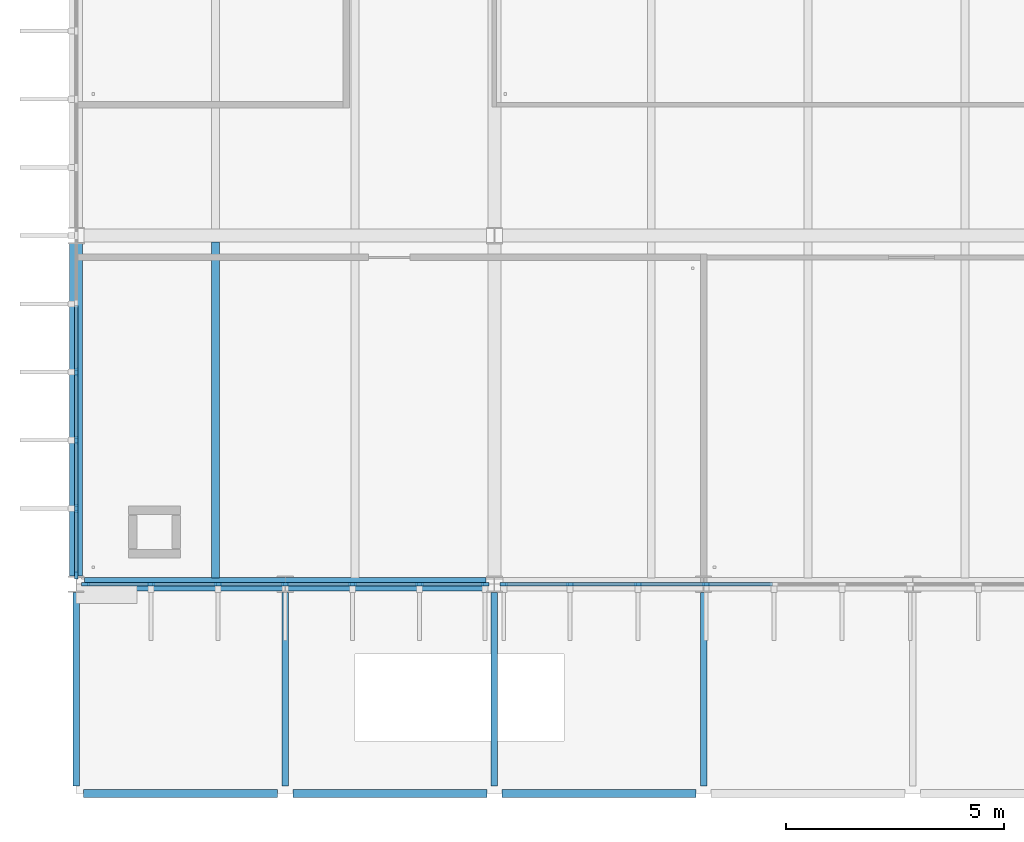
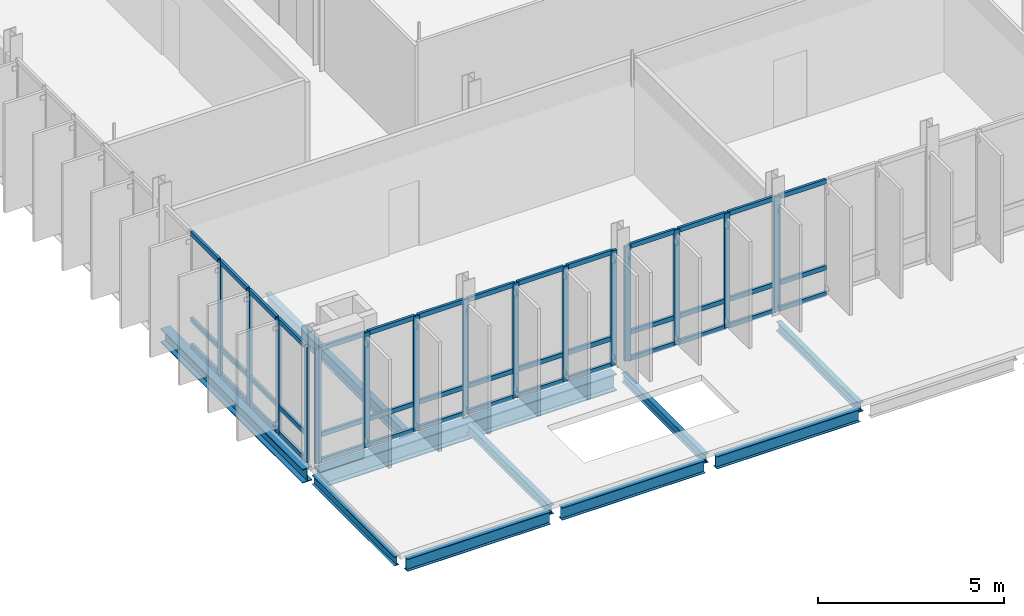
# One storey, part 16 of 107: 57 members, 10 beams, 3 elements without a shape of their own.
"""IFC4 building model written with IfcOpenShell, lengths in metres."""

from ifc_helpers import new_model, si_unit, direction, frame, origin, origin_2d, place, context, subcontext, project, spatial, rectangle, i_section, extrude, material, material_profile, profile_set, type_object, element, aggregate, save


model = new_model("IFC4")

# Units and contexts
model_context = context("Model", 3, precision=1e-05, world=origin(), true_north=direction((0.0, 1.0)))
body_context = subcontext(model_context, "Body", "Model", "MODEL_VIEW")
ifc_project = project(units=[si_unit("LENGTHUNIT", "METRE"), si_unit("AREAUNIT", "SQUARE_METRE"), si_unit("VOLUMEUNIT", "CUBIC_METRE"), si_unit("PLANEANGLEUNIT", "RADIAN"), si_unit("MASSUNIT", "GRAM", prefix="KILO")], contexts=[model_context])

# Site, building, storey
site_placement = place(None, origin())
site = spatial("IfcSite", under=ifc_project, at=site_placement, CompositionType="ELEMENT")
building_placement = place(site_placement, origin())
building = spatial("IfcBuilding", under=site, at=building_placement, Name="Dunescarp Central Library", CompositionType="ELEMENT")
storey_placement = place(building_placement, frame((0.0, 0.0, 5.10009765625)))
storey = spatial("IfcBuildingStorey", under=building, at=storey_placement, Name="L01", CompositionType="ELEMENT", Elevation=5.10009765625)

# Curtain wall, members
ifc_material_1 = material(Name="Marine-grade anodised aluminium 6063-T6", Category="aluminium")
curtain_wall_type = type_object("IfcCurtainWallType", Name="ARC-CW-STICK", PredefinedType="NOTDEFINED", material=ifc_material_1)
curtain_wall_1_placement = place(storey_placement, origin())
curtain_wall_1 = element("IfcCurtainWall", 1, at=curtain_wall_1_placement, inside=storey, type_object=curtain_wall_type, Name="L01 curtain wall CW-V1-006", PredefinedType="NOTDEFINED")
ifc_material_profile_1 = material_profile(ifc_material_1, rectangle(XDim=0.080078125, YDim=0.179931640625, at=origin_2d()), Name="AL 80x180")
ifc_profile_set_1 = profile_set([ifc_material_profile_1], Name="Marine-grade anodised aluminium 6063-T6")
member_type_1 = type_object("IfcMemberType", Name="ARC-CWM-180", PredefinedType="MULLION", material=ifc_profile_set_1)
member_1_placement = place(storey_placement, frame((9.385009765625, 4.800048828125, 0.0), z_axis=(0.0, 0.0, 1.0), x_axis=(0.0, -1.0, 0.0)))
member_1 = element("IfcMember", 2, at=member_1_placement, type_object=member_type_1, Name="CW-V1-006 mullion 1", PredefinedType="MULLION", context=body_context, shape_type="SweptSolid", body=[
    extrude(rectangle(XDim=0.080078125, YDim=0.179931640625, at=origin_2d()), origin(), (0.0, 0.0, 1.0), 3.764892578125),
])
member_2_placement = place(storey_placement, frame((7.88330078125, 4.800048828125, 0.0), z_axis=(0.0, 0.0, 1.0), x_axis=(0.0, -1.0, 0.0)))
member_2 = element("IfcMember", 3, at=member_2_placement, type_object=member_type_1, Name="CW-V1-006 mullion 2", PredefinedType="MULLION", context=body_context, shape_type="SweptSolid", body=[
    extrude(rectangle(XDim=0.080078125, YDim=0.179931640625, at=origin_2d()), origin(), (0.0, 0.0, 1.0), 3.764892578125),
])
member_3_placement = place(storey_placement, frame((6.341552734375, 4.800048828125, 0.0), z_axis=(0.0, 0.0, 1.0), x_axis=(0.0, -1.0, 0.0)))
member_3 = element("IfcMember", 4, at=member_3_placement, type_object=member_type_1, Name="CW-V1-006 mullion 3", PredefinedType="MULLION", context=body_context, shape_type="SweptSolid", body=[
    extrude(rectangle(XDim=0.080078125, YDim=0.179931640625, at=origin_2d()), origin(), (0.0, 0.0, 1.0), 3.764892578125),
])
member_4_placement = place(storey_placement, frame((4.800048828125, 4.800048828125, 0.0), z_axis=(0.0, 0.0, 1.0), x_axis=(0.0, -1.0, 0.0)))
member_4 = element("IfcMember", 5, at=member_4_placement, type_object=member_type_1, Name="CW-V1-006 mullion 4", PredefinedType="MULLION", context=body_context, shape_type="SweptSolid", body=[
    extrude(rectangle(XDim=0.080078125, YDim=0.179931640625, at=origin_2d()), origin(), (0.0, 0.0, 1.0), 3.764892578125),
])
member_5_placement = place(storey_placement, frame((3.25830078125, 4.800048828125, 0.0), z_axis=(0.0, 0.0, 1.0), x_axis=(0.0, -1.0, 0.0)))
member_5 = element("IfcMember", 6, at=member_5_placement, type_object=member_type_1, Name="CW-V1-006 mullion 5", PredefinedType="MULLION", context=body_context, shape_type="SweptSolid", body=[
    extrude(rectangle(XDim=0.080078125, YDim=0.179931640625, at=origin_2d()), origin(), (0.0, 0.0, 1.0), 3.764892578125),
])
member_6_placement = place(storey_placement, frame((1.716552734375, 4.800048828125, 0.0), z_axis=(0.0, 0.0, 1.0), x_axis=(0.0, -1.0, 0.0)))
member_6 = element("IfcMember", 7, at=member_6_placement, type_object=member_type_1, Name="CW-V1-006 mullion 6", PredefinedType="MULLION", context=body_context, shape_type="SweptSolid", body=[
    extrude(rectangle(XDim=0.080078125, YDim=0.179931640625, at=origin_2d()), origin(), (0.0, 0.0, 1.0), 3.764892578125),
])
member_7_placement = place(storey_placement, frame((0.215087890625, 4.800048828125, 0.0), z_axis=(0.0, 0.0, 1.0), x_axis=(0.0, -1.0, 0.0)))
member_7 = element("IfcMember", 8, at=member_7_placement, type_object=member_type_1, Name="CW-V1-006 mullion 7", PredefinedType="MULLION", context=body_context, shape_type="SweptSolid", body=[
    extrude(rectangle(XDim=0.080078125, YDim=0.179931640625, at=origin_2d()), origin(), (0.0, 0.0, 1.0), 3.764892578125),
])

curtain_wall_2_placement = place(storey_placement, origin())
curtain_wall_2 = element("IfcCurtainWall", 9, at=curtain_wall_2_placement, inside=storey, type_object=curtain_wall_type, Name="L01 curtain wall CW-V1-007", PredefinedType="NOTDEFINED")
member_8_placement = place(storey_placement, frame((14.458251953125, 4.800048828125, 0.0), z_axis=(0.0, 0.0, 1.0), x_axis=(0.0, -1.0, 0.0)))
member_8 = element("IfcMember", 10, at=member_8_placement, type_object=member_type_1, Name="CW-V1-007 mullion 7", PredefinedType="MULLION", context=body_context, shape_type="SweptSolid", body=[
    extrude(rectangle(XDim=0.080078125, YDim=0.179931640625, at=origin_2d()), origin(), (0.0, 0.0, 1.0), 3.764892578125),
])
member_9_placement = place(storey_placement, frame((12.897216796875, 4.800048828125, 0.0), z_axis=(0.0, 0.0, 1.0), x_axis=(0.0, -1.0, 0.0)))
member_9 = element("IfcMember", 11, at=member_9_placement, type_object=member_type_1, Name="CW-V1-007 mullion 8", PredefinedType="MULLION", context=body_context, shape_type="SweptSolid", body=[
    extrude(rectangle(XDim=0.080078125, YDim=0.179931640625, at=origin_2d()), origin(), (0.0, 0.0, 1.0), 3.764892578125),
])
member_10_placement = place(storey_placement, frame((11.336181640625, 4.800048828125, 0.0), z_axis=(0.0, 0.0, 1.0), x_axis=(0.0, -1.0, 0.0)))
member_10 = element("IfcMember", 12, at=member_10_placement, type_object=member_type_1, Name="CW-V1-007 mullion 9", PredefinedType="MULLION", context=body_context, shape_type="SweptSolid", body=[
    extrude(rectangle(XDim=0.080078125, YDim=0.179931640625, at=origin_2d()), origin(), (0.0, 0.0, 1.0), 3.764892578125),
])
member_11_placement = place(storey_placement, frame((9.81494140625, 4.800048828125, 0.0), z_axis=(0.0, 0.0, 1.0), x_axis=(0.0, -1.0, 0.0)))
member_11 = element("IfcMember", 13, at=member_11_placement, type_object=member_type_1, Name="CW-V1-007 mullion 10", PredefinedType="MULLION", context=body_context, shape_type="SweptSolid", body=[
    extrude(rectangle(XDim=0.080078125, YDim=0.179931640625, at=origin_2d()), origin(), (0.0, 0.0, 1.0), 3.764892578125),
])

curtain_wall_3_placement = place(storey_placement, origin())
curtain_wall_3 = element("IfcCurtainWall", 14, at=curtain_wall_3_placement, inside=storey, type_object=curtain_wall_type, Name="L01 curtain wall CW-V1-009", PredefinedType="NOTDEFINED")
member_12_placement = place(storey_placement, frame((0.0, 5.014892578125, 0.0), z_axis=(0.0, 0.0, 1.0), x_axis=(-1.0, 0.0, 0.0)))
member_12 = element("IfcMember", 15, at=member_12_placement, type_object=member_type_1, Name="CW-V1-009 mullion 1", PredefinedType="MULLION", context=body_context, shape_type="SweptSolid", body=[
    extrude(rectangle(XDim=0.080078125, YDim=0.179931640625, at=origin_2d()), origin(), (0.0, 0.0, 1.0), 3.764892578125),
])
member_13_placement = place(storey_placement, frame((0.0, 6.5400390625, 0.0), z_axis=(0.0, 0.0, 1.0), x_axis=(-1.0, 0.0, 0.0)))
member_13 = element("IfcMember", 16, at=member_13_placement, type_object=member_type_1, Name="CW-V1-009 mullion 2", PredefinedType="MULLION", context=body_context, shape_type="SweptSolid", body=[
    extrude(rectangle(XDim=0.080078125, YDim=0.179931640625, at=origin_2d()), origin(), (0.0, 0.0, 1.0), 3.764892578125),
])
member_14_placement = place(storey_placement, frame((0.0, 8.10498046875, 0.0), z_axis=(0.0, 0.0, 1.0), x_axis=(-1.0, 0.0, 0.0)))
member_14 = element("IfcMember", 17, at=member_14_placement, type_object=member_type_1, Name="CW-V1-009 mullion 3", PredefinedType="MULLION", context=body_context, shape_type="SweptSolid", body=[
    extrude(rectangle(XDim=0.080078125, YDim=0.179931640625, at=origin_2d()), origin(), (0.0, 0.0, 1.0), 3.764892578125),
])
member_15_placement = place(storey_placement, frame((0.0, 9.669921875, 0.0), z_axis=(0.0, 0.0, 1.0), x_axis=(-1.0, 0.0, 0.0)))
member_15 = element("IfcMember", 18, at=member_15_placement, type_object=member_type_1, Name="CW-V1-009 mullion 4", PredefinedType="MULLION", context=body_context, shape_type="SweptSolid", body=[
    extrude(rectangle(XDim=0.080078125, YDim=0.179931640625, at=origin_2d()), origin(), (0.0, 0.0, 1.0), 3.764892578125),
])

# Member
ifc_material_profile_2 = material_profile(ifc_material_1, rectangle(XDim=0.080078125, YDim=0.14990234375, at=origin_2d()), Name="AL 80x150")
ifc_profile_set_2 = profile_set([ifc_material_profile_2], Name="Marine-grade anodised aluminium 6063-T6")
member_type_2 = type_object("IfcMemberType", Name="ARC-CWT-150", PredefinedType="USERDEFINED", material=ifc_profile_set_2)
member_16_placement = place(storey_placement, frame((9.344970703125, 4.800048828125, 0.039794921875), z_axis=(-1.0, 0.0, 0.0), x_axis=(0.0, -1.0, 0.0)))
member_16 = element("IfcMember", 19, at=member_16_placement, type_object=member_type_2, Name="CW-V1-006 transom 1.1", ObjectType="TRANSOM", PredefinedType="USERDEFINED", context=body_context, shape_type="SweptSolid", body=[
    extrude(rectangle(XDim=0.080078125, YDim=0.14990234375, at=origin_2d()), origin(), (0.0, 0.0, 1.0), 1.421630859375),
])

member_17_placement = place(storey_placement, frame((9.344970703125, 4.800048828125, 0.89990234375), z_axis=(-1.0, 0.0, 0.0), x_axis=(0.0, -1.0, 0.0)))
member_17 = element("IfcMember", 20, at=member_17_placement, type_object=member_type_2, Name="CW-V1-006 transom 1.2", ObjectType="TRANSOM", PredefinedType="USERDEFINED", context=body_context, shape_type="SweptSolid", body=[
    extrude(rectangle(XDim=0.080078125, YDim=0.14990234375, at=origin_2d()), origin(), (0.0, 0.0, 1.0), 1.421630859375),
])

member_18_placement = place(storey_placement, frame((9.344970703125, 4.800048828125, 3.724853515625), z_axis=(-1.0, 0.0, 0.0), x_axis=(0.0, -1.0, 0.0)))
member_18 = element("IfcMember", 21, at=member_18_placement, type_object=member_type_2, Name="CW-V1-006 transom 1.3", ObjectType="TRANSOM", PredefinedType="USERDEFINED", context=body_context, shape_type="SweptSolid", body=[
    extrude(rectangle(XDim=0.080078125, YDim=0.14990234375, at=origin_2d()), origin(), (0.0, 0.0, 1.0), 1.421630859375),
])

member_19_placement = place(storey_placement, frame((7.84326171875, 4.800048828125, 0.039794921875), z_axis=(-1.0, 0.0, 0.0), x_axis=(0.0, -1.0, 0.0)))
member_19 = element("IfcMember", 22, at=member_19_placement, type_object=member_type_2, Name="CW-V1-006 transom 2.1", ObjectType="TRANSOM", PredefinedType="USERDEFINED", context=body_context, shape_type="SweptSolid", body=[
    extrude(rectangle(XDim=0.080078125, YDim=0.14990234375, at=origin_2d()), origin(), (0.0, 0.0, 1.0), 1.461669921875),
])

member_20_placement = place(storey_placement, frame((7.84326171875, 4.800048828125, 0.89990234375), z_axis=(-1.0, 0.0, 0.0), x_axis=(0.0, -1.0, 0.0)))
member_20 = element("IfcMember", 23, at=member_20_placement, type_object=member_type_2, Name="CW-V1-006 transom 2.2", ObjectType="TRANSOM", PredefinedType="USERDEFINED", context=body_context, shape_type="SweptSolid", body=[
    extrude(rectangle(XDim=0.080078125, YDim=0.14990234375, at=origin_2d()), origin(), (0.0, 0.0, 1.0), 1.461669921875),
])

member_21_placement = place(storey_placement, frame((7.84326171875, 4.800048828125, 3.724853515625), z_axis=(-1.0, 0.0, 0.0), x_axis=(0.0, -1.0, 0.0)))
member_21 = element("IfcMember", 24, at=member_21_placement, type_object=member_type_2, Name="CW-V1-006 transom 2.3", ObjectType="TRANSOM", PredefinedType="USERDEFINED", context=body_context, shape_type="SweptSolid", body=[
    extrude(rectangle(XDim=0.080078125, YDim=0.14990234375, at=origin_2d()), origin(), (0.0, 0.0, 1.0), 1.461669921875),
])

member_22_placement = place(storey_placement, frame((6.3017578125, 4.800048828125, 0.039794921875), z_axis=(-1.0, 0.0, 0.0), x_axis=(0.0, -1.0, 0.0)))
member_22 = element("IfcMember", 25, at=member_22_placement, type_object=member_type_2, Name="CW-V1-006 transom 3.1", ObjectType="TRANSOM", PredefinedType="USERDEFINED", context=body_context, shape_type="SweptSolid", body=[
    extrude(rectangle(XDim=0.080078125, YDim=0.14990234375, at=origin_2d()), origin(), (0.0, 0.0, 1.0), 1.461669921875),
])

member_23_placement = place(storey_placement, frame((6.3017578125, 4.800048828125, 0.89990234375), z_axis=(-1.0, 0.0, 0.0), x_axis=(0.0, -1.0, 0.0)))
member_23 = element("IfcMember", 26, at=member_23_placement, type_object=member_type_2, Name="CW-V1-006 transom 3.2", ObjectType="TRANSOM", PredefinedType="USERDEFINED", context=body_context, shape_type="SweptSolid", body=[
    extrude(rectangle(XDim=0.080078125, YDim=0.14990234375, at=origin_2d()), origin(), (0.0, 0.0, 1.0), 1.461669921875),
])

member_24_placement = place(storey_placement, frame((6.3017578125, 4.800048828125, 3.724853515625), z_axis=(-1.0, 0.0, 0.0), x_axis=(0.0, -1.0, 0.0)))
member_24 = element("IfcMember", 27, at=member_24_placement, type_object=member_type_2, Name="CW-V1-006 transom 3.3", ObjectType="TRANSOM", PredefinedType="USERDEFINED", context=body_context, shape_type="SweptSolid", body=[
    extrude(rectangle(XDim=0.080078125, YDim=0.14990234375, at=origin_2d()), origin(), (0.0, 0.0, 1.0), 1.461669921875),
])

member_25_placement = place(storey_placement, frame((4.760009765625, 4.800048828125, 0.039794921875), z_axis=(-1.0, 0.0, 0.0), x_axis=(0.0, -1.0, 0.0)))
member_25 = element("IfcMember", 28, at=member_25_placement, type_object=member_type_2, Name="CW-V1-006 transom 4.1", ObjectType="TRANSOM", PredefinedType="USERDEFINED", context=body_context, shape_type="SweptSolid", body=[
    extrude(rectangle(XDim=0.080078125, YDim=0.14990234375, at=origin_2d()), origin(), (0.0, 0.0, 1.0), 1.461669921875),
])

member_26_placement = place(storey_placement, frame((4.760009765625, 4.800048828125, 0.89990234375), z_axis=(-1.0, 0.0, 0.0), x_axis=(0.0, -1.0, 0.0)))
member_26 = element("IfcMember", 29, at=member_26_placement, type_object=member_type_2, Name="CW-V1-006 transom 4.2", ObjectType="TRANSOM", PredefinedType="USERDEFINED", context=body_context, shape_type="SweptSolid", body=[
    extrude(rectangle(XDim=0.080078125, YDim=0.14990234375, at=origin_2d()), origin(), (0.0, 0.0, 1.0), 1.461669921875),
])

member_27_placement = place(storey_placement, frame((4.760009765625, 4.800048828125, 3.724853515625), z_axis=(-1.0, 0.0, 0.0), x_axis=(0.0, -1.0, 0.0)))
member_27 = element("IfcMember", 30, at=member_27_placement, type_object=member_type_2, Name="CW-V1-006 transom 4.3", ObjectType="TRANSOM", PredefinedType="USERDEFINED", context=body_context, shape_type="SweptSolid", body=[
    extrude(rectangle(XDim=0.080078125, YDim=0.14990234375, at=origin_2d()), origin(), (0.0, 0.0, 1.0), 1.461669921875),
])

member_28_placement = place(storey_placement, frame((3.21826171875, 4.800048828125, 0.039794921875), z_axis=(-1.0, 0.0, 0.0), x_axis=(0.0, -1.0, 0.0)))
member_28 = element("IfcMember", 31, at=member_28_placement, type_object=member_type_2, Name="CW-V1-006 transom 5.1", ObjectType="TRANSOM", PredefinedType="USERDEFINED", context=body_context, shape_type="SweptSolid", body=[
    extrude(rectangle(XDim=0.080078125, YDim=0.14990234375, at=origin_2d()), origin(), (0.0, 0.0, 1.0), 1.461669921875),
])

member_29_placement = place(storey_placement, frame((3.21826171875, 4.800048828125, 0.89990234375), z_axis=(-1.0, 0.0, 0.0), x_axis=(0.0, -1.0, 0.0)))
member_29 = element("IfcMember", 32, at=member_29_placement, type_object=member_type_2, Name="CW-V1-006 transom 5.2", ObjectType="TRANSOM", PredefinedType="USERDEFINED", context=body_context, shape_type="SweptSolid", body=[
    extrude(rectangle(XDim=0.080078125, YDim=0.14990234375, at=origin_2d()), origin(), (0.0, 0.0, 1.0), 1.461669921875),
])

member_30_placement = place(storey_placement, frame((3.21826171875, 4.800048828125, 3.724853515625), z_axis=(-1.0, 0.0, 0.0), x_axis=(0.0, -1.0, 0.0)))
member_30 = element("IfcMember", 33, at=member_30_placement, type_object=member_type_2, Name="CW-V1-006 transom 5.3", ObjectType="TRANSOM", PredefinedType="USERDEFINED", context=body_context, shape_type="SweptSolid", body=[
    extrude(rectangle(XDim=0.080078125, YDim=0.14990234375, at=origin_2d()), origin(), (0.0, 0.0, 1.0), 1.461669921875),
])

member_31_placement = place(storey_placement, frame((1.6767578125, 4.800048828125, 0.039794921875), z_axis=(-1.0, 0.0, 0.0), x_axis=(0.0, -1.0, 0.0)))
member_31 = element("IfcMember", 34, at=member_31_placement, type_object=member_type_2, Name="CW-V1-006 transom 6.1", ObjectType="TRANSOM", PredefinedType="USERDEFINED", context=body_context, shape_type="SweptSolid", body=[
    extrude(rectangle(XDim=0.080078125, YDim=0.14990234375, at=origin_2d()), origin(), (0.0, 0.0, 1.0), 1.421875),
])

member_32_placement = place(storey_placement, frame((1.6767578125, 4.800048828125, 0.89990234375), z_axis=(-1.0, 0.0, 0.0), x_axis=(0.0, -1.0, 0.0)))
member_32 = element("IfcMember", 35, at=member_32_placement, type_object=member_type_2, Name="CW-V1-006 transom 6.2", ObjectType="TRANSOM", PredefinedType="USERDEFINED", context=body_context, shape_type="SweptSolid", body=[
    extrude(rectangle(XDim=0.080078125, YDim=0.14990234375, at=origin_2d()), origin(), (0.0, 0.0, 1.0), 1.421875),
])

member_33_placement = place(storey_placement, frame((1.6767578125, 4.800048828125, 3.724853515625), z_axis=(-1.0, 0.0, 0.0), x_axis=(0.0, -1.0, 0.0)))
member_33 = element("IfcMember", 36, at=member_33_placement, type_object=member_type_2, Name="CW-V1-006 transom 6.3", ObjectType="TRANSOM", PredefinedType="USERDEFINED", context=body_context, shape_type="SweptSolid", body=[
    extrude(rectangle(XDim=0.080078125, YDim=0.14990234375, at=origin_2d()), origin(), (0.0, 0.0, 1.0), 1.421875),
])

aggregate(curtain_wall_1, [member_1, member_2, member_3, member_4, member_5, member_6, member_7, member_16, member_17, member_18, member_19, member_20, member_21, member_22, member_23, member_24, member_25, member_26, member_27, member_28, member_29, member_30, member_31, member_32, member_33])

member_34_placement = place(storey_placement, frame((15.9794921875, 4.800048828125, 0.039794921875), z_axis=(-1.0, 0.0, 0.0), x_axis=(0.0, -1.0, 0.0)))
member_34 = element("IfcMember", 37, at=member_34_placement, type_object=member_type_2, Name="CW-V1-007 transom 6.1", ObjectType="TRANSOM", PredefinedType="USERDEFINED", context=body_context, shape_type="SweptSolid", body=[
    extrude(rectangle(XDim=0.080078125, YDim=0.14990234375, at=origin_2d()), origin(), (0.0, 0.0, 1.0), 1.481201171875),
])

member_35_placement = place(storey_placement, frame((15.9794921875, 4.800048828125, 0.89990234375), z_axis=(-1.0, 0.0, 0.0), x_axis=(0.0, -1.0, 0.0)))
member_35 = element("IfcMember", 38, at=member_35_placement, type_object=member_type_2, Name="CW-V1-007 transom 6.2", ObjectType="TRANSOM", PredefinedType="USERDEFINED", context=body_context, shape_type="SweptSolid", body=[
    extrude(rectangle(XDim=0.080078125, YDim=0.14990234375, at=origin_2d()), origin(), (0.0, 0.0, 1.0), 1.481201171875),
])

member_36_placement = place(storey_placement, frame((15.9794921875, 4.800048828125, 3.724853515625), z_axis=(-1.0, 0.0, 0.0), x_axis=(0.0, -1.0, 0.0)))
member_36 = element("IfcMember", 39, at=member_36_placement, type_object=member_type_2, Name="CW-V1-007 transom 6.3", ObjectType="TRANSOM", PredefinedType="USERDEFINED", context=body_context, shape_type="SweptSolid", body=[
    extrude(rectangle(XDim=0.080078125, YDim=0.14990234375, at=origin_2d()), origin(), (0.0, 0.0, 1.0), 1.481201171875),
])

member_37_placement = place(storey_placement, frame((14.418212890625, 4.800048828125, 0.039794921875), z_axis=(-1.0, 0.0, 0.0), x_axis=(0.0, -1.0, 0.0)))
member_37 = element("IfcMember", 40, at=member_37_placement, type_object=member_type_2, Name="CW-V1-007 transom 7.1", ObjectType="TRANSOM", PredefinedType="USERDEFINED", context=body_context, shape_type="SweptSolid", body=[
    extrude(rectangle(XDim=0.080078125, YDim=0.14990234375, at=origin_2d()), origin(), (0.0, 0.0, 1.0), 1.48095703125),
])

member_38_placement = place(storey_placement, frame((14.418212890625, 4.800048828125, 0.89990234375), z_axis=(-1.0, 0.0, 0.0), x_axis=(0.0, -1.0, 0.0)))
member_38 = element("IfcMember", 41, at=member_38_placement, type_object=member_type_2, Name="CW-V1-007 transom 7.2", ObjectType="TRANSOM", PredefinedType="USERDEFINED", context=body_context, shape_type="SweptSolid", body=[
    extrude(rectangle(XDim=0.080078125, YDim=0.14990234375, at=origin_2d()), origin(), (0.0, 0.0, 1.0), 1.48095703125),
])

member_39_placement = place(storey_placement, frame((14.418212890625, 4.800048828125, 3.724853515625), z_axis=(-1.0, 0.0, 0.0), x_axis=(0.0, -1.0, 0.0)))
member_39 = element("IfcMember", 42, at=member_39_placement, type_object=member_type_2, Name="CW-V1-007 transom 7.3", ObjectType="TRANSOM", PredefinedType="USERDEFINED", context=body_context, shape_type="SweptSolid", body=[
    extrude(rectangle(XDim=0.080078125, YDim=0.14990234375, at=origin_2d()), origin(), (0.0, 0.0, 1.0), 1.48095703125),
])

member_40_placement = place(storey_placement, frame((12.857177734375, 4.800048828125, 0.039794921875), z_axis=(-1.0, 0.0, 0.0), x_axis=(0.0, -1.0, 0.0)))
member_40 = element("IfcMember", 43, at=member_40_placement, type_object=member_type_2, Name="CW-V1-007 transom 8.1", ObjectType="TRANSOM", PredefinedType="USERDEFINED", context=body_context, shape_type="SweptSolid", body=[
    extrude(rectangle(XDim=0.080078125, YDim=0.14990234375, at=origin_2d()), origin(), (0.0, 0.0, 1.0), 1.48095703125),
])

member_41_placement = place(storey_placement, frame((12.857177734375, 4.800048828125, 0.89990234375), z_axis=(-1.0, 0.0, 0.0), x_axis=(0.0, -1.0, 0.0)))
member_41 = element("IfcMember", 44, at=member_41_placement, type_object=member_type_2, Name="CW-V1-007 transom 8.2", ObjectType="TRANSOM", PredefinedType="USERDEFINED", context=body_context, shape_type="SweptSolid", body=[
    extrude(rectangle(XDim=0.080078125, YDim=0.14990234375, at=origin_2d()), origin(), (0.0, 0.0, 1.0), 1.48095703125),
])

member_42_placement = place(storey_placement, frame((12.857177734375, 4.800048828125, 3.724853515625), z_axis=(-1.0, 0.0, 0.0), x_axis=(0.0, -1.0, 0.0)))
member_42 = element("IfcMember", 45, at=member_42_placement, type_object=member_type_2, Name="CW-V1-007 transom 8.3", ObjectType="TRANSOM", PredefinedType="USERDEFINED", context=body_context, shape_type="SweptSolid", body=[
    extrude(rectangle(XDim=0.080078125, YDim=0.14990234375, at=origin_2d()), origin(), (0.0, 0.0, 1.0), 1.48095703125),
])

member_43_placement = place(storey_placement, frame((11.296142578125, 4.800048828125, 0.039794921875), z_axis=(-1.0, 0.0, 0.0), x_axis=(0.0, -1.0, 0.0)))
member_43 = element("IfcMember", 46, at=member_43_placement, type_object=member_type_2, Name="CW-V1-007 transom 9.1", ObjectType="TRANSOM", PredefinedType="USERDEFINED", context=body_context, shape_type="SweptSolid", body=[
    extrude(rectangle(XDim=0.080078125, YDim=0.14990234375, at=origin_2d()), origin(), (0.0, 0.0, 1.0), 1.441162109375),
])

member_44_placement = place(storey_placement, frame((11.296142578125, 4.800048828125, 0.89990234375), z_axis=(-1.0, 0.0, 0.0), x_axis=(0.0, -1.0, 0.0)))
member_44 = element("IfcMember", 47, at=member_44_placement, type_object=member_type_2, Name="CW-V1-007 transom 9.2", ObjectType="TRANSOM", PredefinedType="USERDEFINED", context=body_context, shape_type="SweptSolid", body=[
    extrude(rectangle(XDim=0.080078125, YDim=0.14990234375, at=origin_2d()), origin(), (0.0, 0.0, 1.0), 1.441162109375),
])

member_45_placement = place(storey_placement, frame((11.296142578125, 4.800048828125, 3.724853515625), z_axis=(-1.0, 0.0, 0.0), x_axis=(0.0, -1.0, 0.0)))
member_45 = element("IfcMember", 48, at=member_45_placement, type_object=member_type_2, Name="CW-V1-007 transom 9.3", ObjectType="TRANSOM", PredefinedType="USERDEFINED", context=body_context, shape_type="SweptSolid", body=[
    extrude(rectangle(XDim=0.080078125, YDim=0.14990234375, at=origin_2d()), origin(), (0.0, 0.0, 1.0), 1.441162109375),
])

aggregate(curtain_wall_2, [member_8, member_9, member_10, member_11, member_34, member_35, member_36, member_37, member_38, member_39, member_40, member_41, member_42, member_43, member_44, member_45])

member_46_placement = place(storey_placement, frame((0.0, 5.054931640625, 0.039794921875), z_axis=(0.0, 1.0, 0.0), x_axis=(-1.0, 0.0, 0.0)))
member_46 = element("IfcMember", 49, at=member_46_placement, type_object=member_type_2, Name="CW-V1-009 transom 1.1", ObjectType="TRANSOM", PredefinedType="USERDEFINED", context=body_context, shape_type="SweptSolid", body=[
    extrude(rectangle(XDim=0.080078125, YDim=0.14990234375, at=origin_2d()), origin(), (0.0, 0.0, 1.0), 1.445068359375),
])

member_47_placement = place(storey_placement, frame((0.0, 5.054931640625, 0.89990234375), z_axis=(0.0, 1.0, 0.0), x_axis=(-1.0, 0.0, 0.0)))
member_47 = element("IfcMember", 50, at=member_47_placement, type_object=member_type_2, Name="CW-V1-009 transom 1.2", ObjectType="TRANSOM", PredefinedType="USERDEFINED", context=body_context, shape_type="SweptSolid", body=[
    extrude(rectangle(XDim=0.080078125, YDim=0.14990234375, at=origin_2d()), origin(), (0.0, 0.0, 1.0), 1.445068359375),
])

member_48_placement = place(storey_placement, frame((0.0, 5.054931640625, 3.724853515625), z_axis=(0.0, 1.0, 0.0), x_axis=(-1.0, 0.0, 0.0)))
member_48 = element("IfcMember", 51, at=member_48_placement, type_object=member_type_2, Name="CW-V1-009 transom 1.3", ObjectType="TRANSOM", PredefinedType="USERDEFINED", context=body_context, shape_type="SweptSolid", body=[
    extrude(rectangle(XDim=0.080078125, YDim=0.14990234375, at=origin_2d()), origin(), (0.0, 0.0, 1.0), 1.445068359375),
])

member_49_placement = place(storey_placement, frame((0.0, 6.580078125, 0.039794921875), z_axis=(0.0, 1.0, 0.0), x_axis=(-1.0, 0.0, 0.0)))
member_49 = element("IfcMember", 52, at=member_49_placement, type_object=member_type_2, Name="CW-V1-009 transom 2.1", ObjectType="TRANSOM", PredefinedType="USERDEFINED", context=body_context, shape_type="SweptSolid", body=[
    extrude(rectangle(XDim=0.080078125, YDim=0.14990234375, at=origin_2d()), origin(), (0.0, 0.0, 1.0), 1.48486328125),
])

member_50_placement = place(storey_placement, frame((0.0, 6.580078125, 0.89990234375), z_axis=(0.0, 1.0, 0.0), x_axis=(-1.0, 0.0, 0.0)))
member_50 = element("IfcMember", 53, at=member_50_placement, type_object=member_type_2, Name="CW-V1-009 transom 2.2", ObjectType="TRANSOM", PredefinedType="USERDEFINED", context=body_context, shape_type="SweptSolid", body=[
    extrude(rectangle(XDim=0.080078125, YDim=0.14990234375, at=origin_2d()), origin(), (0.0, 0.0, 1.0), 1.48486328125),
])

member_51_placement = place(storey_placement, frame((0.0, 6.580078125, 3.724853515625), z_axis=(0.0, 1.0, 0.0), x_axis=(-1.0, 0.0, 0.0)))
member_51 = element("IfcMember", 54, at=member_51_placement, type_object=member_type_2, Name="CW-V1-009 transom 2.3", ObjectType="TRANSOM", PredefinedType="USERDEFINED", context=body_context, shape_type="SweptSolid", body=[
    extrude(rectangle(XDim=0.080078125, YDim=0.14990234375, at=origin_2d()), origin(), (0.0, 0.0, 1.0), 1.48486328125),
])

member_52_placement = place(storey_placement, frame((0.0, 8.14501953125, 0.039794921875), z_axis=(0.0, 1.0, 0.0), x_axis=(-1.0, 0.0, 0.0)))
member_52 = element("IfcMember", 55, at=member_52_placement, type_object=member_type_2, Name="CW-V1-009 transom 3.1", ObjectType="TRANSOM", PredefinedType="USERDEFINED", context=body_context, shape_type="SweptSolid", body=[
    extrude(rectangle(XDim=0.080078125, YDim=0.14990234375, at=origin_2d()), origin(), (0.0, 0.0, 1.0), 1.48486328125),
])

member_53_placement = place(storey_placement, frame((0.0, 8.14501953125, 0.89990234375), z_axis=(0.0, 1.0, 0.0), x_axis=(-1.0, 0.0, 0.0)))
member_53 = element("IfcMember", 56, at=member_53_placement, type_object=member_type_2, Name="CW-V1-009 transom 3.2", ObjectType="TRANSOM", PredefinedType="USERDEFINED", context=body_context, shape_type="SweptSolid", body=[
    extrude(rectangle(XDim=0.080078125, YDim=0.14990234375, at=origin_2d()), origin(), (0.0, 0.0, 1.0), 1.48486328125),
])

member_54_placement = place(storey_placement, frame((0.0, 8.14501953125, 3.724853515625), z_axis=(0.0, 1.0, 0.0), x_axis=(-1.0, 0.0, 0.0)))
member_54 = element("IfcMember", 57, at=member_54_placement, type_object=member_type_2, Name="CW-V1-009 transom 3.3", ObjectType="TRANSOM", PredefinedType="USERDEFINED", context=body_context, shape_type="SweptSolid", body=[
    extrude(rectangle(XDim=0.080078125, YDim=0.14990234375, at=origin_2d()), origin(), (0.0, 0.0, 1.0), 1.48486328125),
])

member_55_placement = place(storey_placement, frame((0.0, 9.7099609375, 0.039794921875), z_axis=(0.0, 1.0, 0.0), x_axis=(-1.0, 0.0, 0.0)))
member_55 = element("IfcMember", 58, at=member_55_placement, type_object=member_type_2, Name="CW-V1-009 transom 4.1", ObjectType="TRANSOM", PredefinedType="USERDEFINED", context=body_context, shape_type="SweptSolid", body=[
    extrude(rectangle(XDim=0.080078125, YDim=0.14990234375, at=origin_2d()), origin(), (0.0, 0.0, 1.0), 1.485107421875),
])

member_56_placement = place(storey_placement, frame((0.0, 9.7099609375, 0.89990234375), z_axis=(0.0, 1.0, 0.0), x_axis=(-1.0, 0.0, 0.0)))
member_56 = element("IfcMember", 59, at=member_56_placement, type_object=member_type_2, Name="CW-V1-009 transom 4.2", ObjectType="TRANSOM", PredefinedType="USERDEFINED", context=body_context, shape_type="SweptSolid", body=[
    extrude(rectangle(XDim=0.080078125, YDim=0.14990234375, at=origin_2d()), origin(), (0.0, 0.0, 1.0), 1.485107421875),
])

member_57_placement = place(storey_placement, frame((0.0, 9.7099609375, 3.724853515625), z_axis=(0.0, 1.0, 0.0), x_axis=(-1.0, 0.0, 0.0)))
member_57 = element("IfcMember", 60, at=member_57_placement, type_object=member_type_2, Name="CW-V1-009 transom 4.3", ObjectType="TRANSOM", PredefinedType="USERDEFINED", context=body_context, shape_type="SweptSolid", body=[
    extrude(rectangle(XDim=0.080078125, YDim=0.14990234375, at=origin_2d()), origin(), (0.0, 0.0, 1.0), 1.485107421875),
])

aggregate(curtain_wall_3, [member_12, member_13, member_14, member_15, member_46, member_47, member_48, member_49, member_50, member_51, member_52, member_53, member_54, member_55, member_56, member_57])

# Beams
ifc_material_2 = material(Name="Steel S355JR", Category="steel")
ifc_material_profile_3 = material_profile(ifc_material_2, i_section(OverallWidth=0.300048828125, OverallDepth=0.449951171875, WebThickness=0.013916015625, FlangeThickness=0.02587890625, at=origin_2d()), Name="HEB 450")
ifc_profile_set_3 = profile_set([ifc_material_profile_3], Name="Steel S355JR")
beam_type_1 = type_object("IfcBeamType", Name="STR-BM-HEB450", PredefinedType="BEAM", material=ifc_profile_set_3)
beam_1_placement = place(storey_placement, frame((0.0, 4.988037109375, -0.445068359375), z_axis=(0.0, 1.0, 0.0), x_axis=(-1.0, 0.0, 0.0)))
element("IfcBeam", 61, at=beam_1_placement, inside=storey, type_object=beam_type_1, Name="L01 girder BM-L01-0003", PredefinedType="BEAM", context=body_context, shape_type="SweptSolid", body=[
    extrude(i_section(OverallWidth=0.300048828125, OverallDepth=0.449951171875, WebThickness=0.013916015625, FlangeThickness=0.02587890625, at=origin_2d()), origin(), (0.0, 0.0, 1.0), 7.6279296875),
])
ifc_material_profile_4 = material_profile(ifc_material_2, i_section(OverallWidth=0.300048828125, OverallDepth=0.550048828125, WebThickness=0.014892578125, FlangeThickness=0.029052734375, at=origin_2d()), Name="HEB 550")
ifc_profile_set_4 = profile_set([ifc_material_profile_4], Name="Steel S355JR")
beam_type_2 = type_object("IfcBeamType", Name="STR-BM-HEB550", PredefinedType="BEAM", material=ifc_profile_set_4)
beam_2_placement = place(storey_placement, frame((0.194091796875, 4.800048828125, -0.4951171875), z_axis=(1.0, 0.0, 0.0), x_axis=(0.0, 1.0, 0.0)))
element("IfcBeam", 62, at=beam_2_placement, inside=storey, type_object=beam_type_2, Name="L01 girder BM-L01-0001", PredefinedType="BEAM", context=body_context, shape_type="SweptSolid", body=[
    extrude(i_section(OverallWidth=0.300048828125, OverallDepth=0.550048828125, WebThickness=0.014892578125, FlangeThickness=0.029052734375, at=origin_2d()), origin(), (0.0, 0.0, 1.0), 9.2119140625),
])
ifc_material_profile_5 = material_profile(ifc_material_2, i_section(OverallWidth=0.14990234375, OverallDepth=0.300048828125, WebThickness=0.007080078125, FlangeThickness=0.0107421875, at=origin_2d()), Name="IPE 300")
ifc_profile_set_5 = profile_set([ifc_material_profile_5], Name="Steel S355JR")
beam_type_3 = type_object("IfcBeamType", Name="STR-JS-IPE300", PredefinedType="JOIST", material=ifc_profile_set_5)
for number, where, z_axis, x_axis, name in (
    (63, (0.0, 0.175048828125, -0.35009765625), (0.0, 1.0, 0.0), (-1.0, 0.0, 0.0), "Colonnade tie beam BM-L01-1437"),
    (64, (4.800048828125, 0.175048828125, -0.35009765625), (0.0, 1.0, 0.0), (-1.0, 0.0, 0.0), "Colonnade tie beam BM-L01-1438"),
    (65, (9.60009765625, 0.175048828125, -0.35009765625), (0.0, 1.0, 0.0), (-1.0, 0.0, 0.0), "Colonnade tie beam BM-L01-1439"),
    (66, (14.39990234375, 0.175048828125, -0.35009765625), (0.0, 1.0, 0.0), (-1.0, 0.0, 0.0), "Colonnade tie beam BM-L01-1440"),
):
    element("IfcBeam", number, at=place(storey_placement, frame(where, z_axis=z_axis, x_axis=x_axis)), inside=storey, type_object=beam_type_3, Name=name, PredefinedType="JOIST", context=body_context, shape_type="SweptSolid", body=[
        extrude(i_section(OverallWidth=0.14990234375, OverallDepth=0.300048828125, WebThickness=0.007080078125, FlangeThickness=0.0107421875, at=origin_2d()), origin(), (0.0, 0.0, 1.0), 4.43701171875),
    ])
ifc_material_profile_6 = material_profile(ifc_material_2, i_section(OverallWidth=0.179931640625, OverallDepth=0.39990234375, WebThickness=0.008544921875, FlangeThickness=0.013427734375, at=origin_2d()), Name="IPE 400")
ifc_profile_set_6 = profile_set([ifc_material_profile_6], Name="Steel S355JR")
beam_type_4 = type_object("IfcBeamType", Name="STR-JS-IPE400", PredefinedType="JOIST", material=ifc_profile_set_6)
beam_3_placement = place(storey_placement, frame((3.199951171875, 4.947998046875, -0.420166015625), z_axis=(0.0, 1.0, 0.0), x_axis=(-1.0, 0.0, 0.0)))
element("IfcBeam", 67, at=beam_3_placement, inside=storey, type_object=beam_type_4, Name="L01 joist JS-L01-0005", PredefinedType="JOIST", context=body_context, shape_type="SweptSolid", body=[
    extrude(i_section(OverallWidth=0.179931640625, OverallDepth=0.39990234375, WebThickness=0.008544921875, FlangeThickness=0.013427734375, at=origin_2d()), origin(), (0.0, 0.0, 1.0), 7.7041015625),
])
ifc_material_profile_7 = material_profile(ifc_material_2, i_section(OverallWidth=0.177978515625, OverallDepth=0.406494140625, WebThickness=0.0078125, FlangeThickness=0.0126953125, at=origin_2d()), Name="UB 406x178x60")
ifc_profile_set_7 = profile_set([ifc_material_profile_7], Name="Steel S355JR")
beam_type_5 = type_object("IfcBeamType", Name="STR-SP-UB406", PredefinedType="SPANDREL", material=ifc_profile_set_7)
for number, where, z_axis, x_axis, name in (
    (68, (0.175048828125, 0.0, -0.403076171875), (1.0, 0.0, 0.0), (0.0, 1.0, 0.0), "Colonnade spandrel SP-L01-1430"),
    (69, (4.97509765625, 0.0, -0.403076171875), (1.0, 0.0, 0.0), (0.0, 1.0, 0.0), "Colonnade spandrel SP-L01-1431"),
):
    element("IfcBeam", number, at=place(storey_placement, frame(where, z_axis=z_axis, x_axis=x_axis)), inside=storey, type_object=beam_type_5, Name=name, PredefinedType="SPANDREL", context=body_context, shape_type="SweptSolid", body=[
        extrude(i_section(OverallWidth=0.177978515625, OverallDepth=0.406494140625, WebThickness=0.0078125, FlangeThickness=0.0126953125, at=origin_2d()), origin(), (0.0, 0.0, 1.0), 4.449951171875),
    ])
beam_4_placement = place(storey_placement, frame((9.77490234375, 0.0, -0.403076171875), z_axis=(1.0, 0.0, 0.0), x_axis=(0.0, 1.0, 0.0)))
element("IfcBeam", 70, at=beam_4_placement, inside=storey, type_object=beam_type_5, Name="Colonnade spandrel SP-L01-1432", PredefinedType="SPANDREL", context=body_context, shape_type="SweptSolid", body=[
    extrude(i_section(OverallWidth=0.177978515625, OverallDepth=0.406494140625, WebThickness=0.0078125, FlangeThickness=0.0126953125, at=origin_2d()), origin(), (0.0, 0.0, 1.0), 4.4501953125),
])

save(model, "model.ifc")
